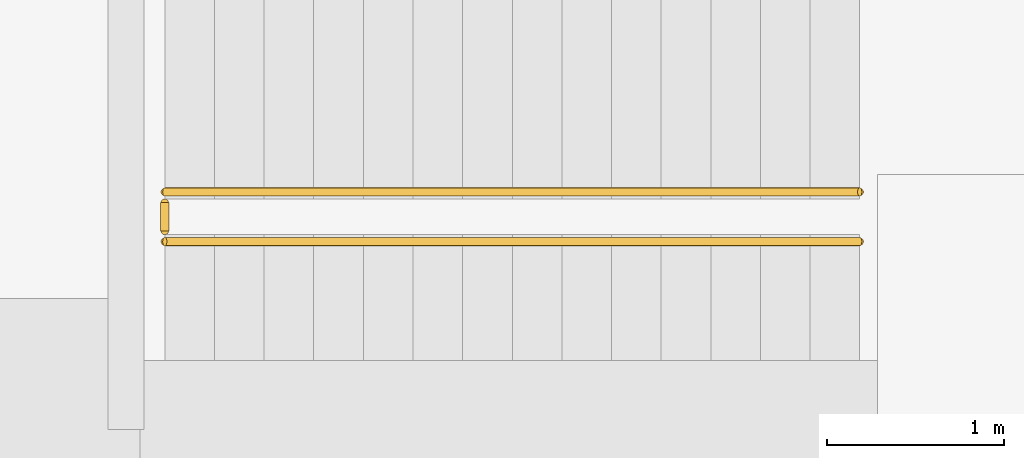
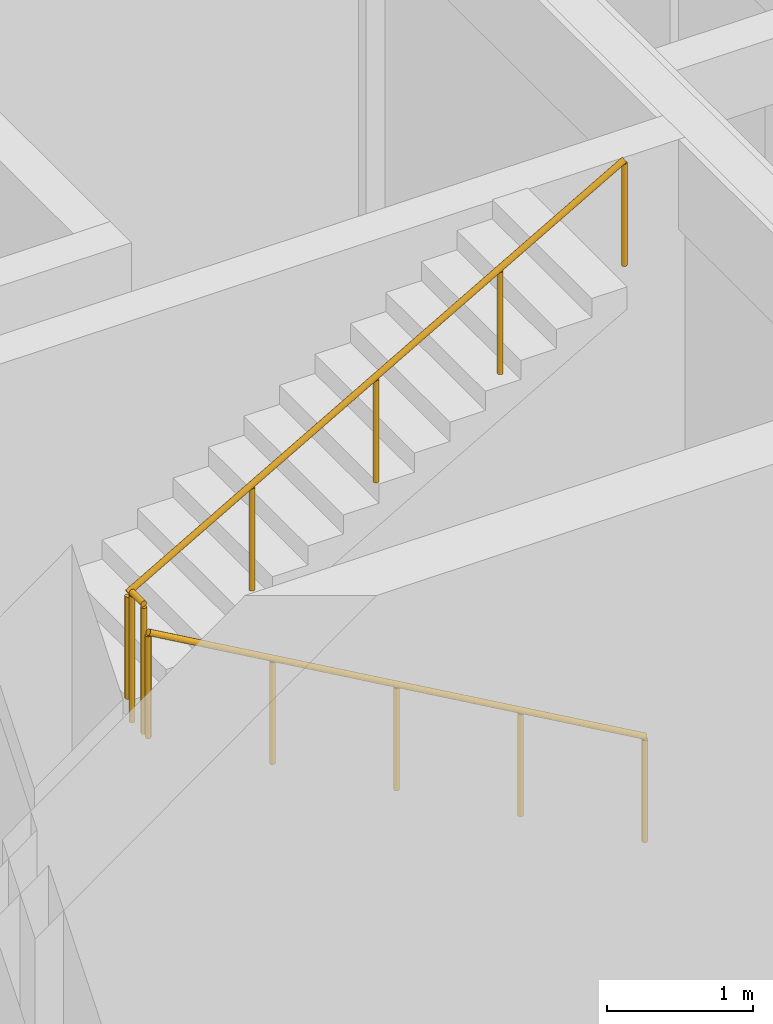
# One storey, part 31 of 35: 3 railings.
"""IFC4 building model written with IfcOpenShell, lengths in metres."""

import ifcopenshell
import ifcopenshell.guid

model = None  # the IFC model being written
_history = None  # IfcOwnerHistory: only IFC2X3 demands one
_inside = {}  # id of a spatial element -> (the spatial element, [elements in it])
_under = {}  # id of a project, library or spatial element -> (it, [spatial elements below it])
_declared = {}  # id of a project -> (the project, [libraries it declares])
_typed = {}  # id of a type object -> (the type object, [elements of that type])
_made_of = {}  # id of a material, layer set ... -> (it, [elements and type objects made of it])


def new_model(schema):
    """Start an empty IFC model of exactly this schema.

    Asked for "IFC4X3", IfcOpenShell would pick the latest addendum, in which some entities
    have other attributes; the version numbers below select the first issue.
    IFC2X3 requires an IfcOwnerHistory on every rooted entity: one is made here for all.
    """
    global model, _history
    if schema == "IFC4X3":
        model = ifcopenshell.file(schema_version=(4, 3, 0, 0))
    else:
        model = ifcopenshell.file(schema=schema)
    _inside.clear()
    _under.clear()
    _declared.clear()
    _typed.clear()
    _made_of.clear()
    _history = None
    if model.schema == "IFC2X3":
        org = make("IfcOrganization", Name="unknown")
        user = make(
            "IfcPersonAndOrganization",
            ThePerson=make("IfcPerson", FamilyName="unknown"),
            TheOrganization=org,
        )
        app = make(
            "IfcApplication",
            ApplicationDeveloper=org,
            Version="unknown",
            ApplicationFullName="unknown",
            ApplicationIdentifier="unknown",
        )
        _history = make(
            "IfcOwnerHistory",
            OwningUser=user,
            OwningApplication=app,
            ChangeAction="ADDED",
            CreationDate=0,
        )
    return model


def make(cls, **values):
    """One entity of the class cls with the attributes given. An attribute that is None is left unset."""
    return model.create_entity(
        cls, **{name: value for name, value in values.items() if value is not None}
    )


def rooted(cls, **values):
    """An entity with a GlobalId (a new one), such as an element, a storey or a relation."""
    return make(cls, GlobalId=ifcopenshell.guid.new(), OwnerHistory=_history, **values)


def si_unit(unit_type, name, prefix=None):
    """IfcSIUnit, for example si_unit("LENGTHUNIT", "METRE", prefix="MILLI")."""
    return make("IfcSIUnit", UnitType=unit_type, Prefix=prefix, Name=name)


def assignment(units):
    """IfcUnitAssignment: the units of a project."""
    return None if units is None else make("IfcUnitAssignment", Units=units)


def point(xyz):
    """IfcCartesianPoint."""
    return None if xyz is None else make("IfcCartesianPoint", Coordinates=xyz)


def direction(xyz):
    """IfcDirection."""
    return None if xyz is None else make("IfcDirection", DirectionRatios=xyz)


def frame(location, z_axis=None, x_axis=None):
    """IfcAxis2Placement3D, a coordinate frame: its origin and axes. An axis left out is left unset."""
    return make(
        "IfcAxis2Placement3D",
        Location=point(location),
        Axis=direction(z_axis),
        RefDirection=direction(x_axis),
    )


def frame_2d(location, x_axis=None):
    """IfcAxis2Placement2D, a coordinate frame in the plane: its origin and x axis."""
    return make(
        "IfcAxis2Placement2D", Location=point(location), RefDirection=direction(x_axis)
    )


def origin():
    """The frame at (0, 0, 0) with its axes left unset."""
    return frame((0.0, 0.0, 0.0))


def origin_2d():
    """The frame at (0, 0) in the plane with its x axis left unset."""
    return frame_2d((0.0, 0.0))


def place(relative_to, where):
    """IfcLocalPlacement: puts the frame where relative to a parent placement (None: the world)."""
    return make(
        "IfcLocalPlacement", PlacementRelTo=relative_to, RelativePlacement=where
    )


def context(
    kind, dimensions, precision=None, world=None, true_north=None, identifier=None
):
    """IfcGeometricRepresentationContext, for example the 3D "Model" context."""
    return make(
        "IfcGeometricRepresentationContext",
        ContextIdentifier=identifier,
        ContextType=kind,
        CoordinateSpaceDimension=dimensions,
        Precision=precision,
        WorldCoordinateSystem=world,
        TrueNorth=true_north,
    )


def subcontext(parent, identifier, kind, view, scale=None):
    """IfcGeometricRepresentationSubContext, for example "Body" below "Model"."""
    return make(
        "IfcGeometricRepresentationSubContext",
        ContextIdentifier=identifier,
        ContextType=kind,
        ParentContext=parent,
        TargetScale=scale,
        TargetView=view,
    )


def project(units=None, contexts=None):
    """IfcProject with its units and contexts."""
    return rooted(
        "IfcProject",
        Name="project",
        RepresentationContexts=contexts,
        UnitsInContext=assignment(units),
    )


def spatial(cls, under=None, at=None, **own):
    """A site, building, storey or space (cls), placed at a placement, below another one or the project."""
    s = rooted(cls, ObjectPlacement=at, **own)
    if under is not None:
        _under.setdefault(under.id(), (under, []))[1].append(s)
    return s


def profile(cls, at=None, kind="AREA", **sizes):
    """A parametric profile (cls). Its sizes go by their IFC names, for example OverallWidth=200.0."""
    return make(cls, ProfileType=kind, Position=at, **sizes)


def circle(**sizes):
    """IfcCircleProfileDef."""
    return profile("IfcCircleProfileDef", **sizes)


def extrude(swept, where, along, depth):
    """IfcExtrudedAreaSolid: the profile swept, set in the frame where, extruded along a direction by depth."""
    return make(
        "IfcExtrudedAreaSolid",
        SweptArea=swept,
        Position=where,
        ExtrudedDirection=direction(along),
        Depth=depth,
    )


def shape(context_of_items, identifier, shape_type, items):
    """IfcShapeRepresentation: the items that make up one representation, for example the "Body"."""
    return make(
        "IfcShapeRepresentation",
        ContextOfItems=context_of_items,
        RepresentationIdentifier=identifier,
        RepresentationType=shape_type,
        Items=items,
    )


def material(Name=None, Category=None):
    """IfcMaterial."""
    return make("IfcMaterial", Name=Name, Category=Category)


def made_of(thing, what):
    """Note that an element or type object is made of a material, layer set ...; save() writes the relation."""
    if what is not None:
        _made_of.setdefault(what.id(), (what, []))[1].append(thing)
    return thing


def type_object(cls, material=None, **own):
    """A type object (cls), such as IfcWallType, which elements share."""
    return made_of(rooted(cls, **own), material)


def element(
    cls,
    number,
    at=None,
    inside=None,
    cuts=None,
    type_object=None,
    material=None,
    context=None,
    identifier="Body",
    shape_type=None,
    held_by="IfcProductDefinitionShape",
    body=None,
    shapes=None,
    **own,
):
    """One element of the class cls, such as IfcWall. Its Tag is "e" and its number.

    at: its placement. inside: the storey or other place that contains it. cuts: it is an
    opening in that element (IfcRelVoidsElement). A single representation is given by context,
    identifier, shape_type and body (its items); several are given by shapes. held_by: the class
    of the entity that holds the representations. save() writes the other relations.
    """
    e = rooted(cls, Tag="e%d" % number, ObjectPlacement=at, **own)
    if body is not None:
        shapes = [shape(context, identifier, shape_type, body)]
    if shapes is not None:
        e.Representation = make(held_by, Representations=shapes)
    if inside is not None:
        _inside.setdefault(inside.id(), (inside, []))[1].append(e)
    if cuts is not None:
        rooted(
            "IfcRelVoidsElement", RelatingBuildingElement=cuts, RelatedOpeningElement=e
        )
    if type_object is not None:
        _typed.setdefault(type_object.id(), (type_object, []))[1].append(e)
    return made_of(e, material)


def aggregate(whole, parts):
    """IfcRelAggregates: a whole, such as a stair, and the parts it consists of."""
    return rooted("IfcRelAggregates", RelatingObject=whole, RelatedObjects=parts)


def save(model, path):
    """Write the relations noted so far, then the file.

    IfcRelAggregates (storeys below a building ...), IfcRelContainedInSpatialStructure (elements
    in a storey), IfcRelDefinesByType, IfcRelAssociatesMaterial and IfcRelDeclares: one each for
    every whole, place, type object, material and project.
    """
    for whole, parts in _under.values():
        aggregate(whole, parts)
    for where, things in _inside.values():
        rooted(
            "IfcRelContainedInSpatialStructure",
            RelatedElements=things,
            RelatingStructure=where,
        )
    for kind, things in _typed.values():
        rooted("IfcRelDefinesByType", RelatedObjects=things, RelatingType=kind)
    for what, things in _made_of.values():
        rooted("IfcRelAssociatesMaterial", RelatedObjects=things, RelatingMaterial=what)
    for by, libraries in _declared.values():
        rooted("IfcRelDeclares", RelatingContext=by, RelatedDefinitions=libraries)
    model.write(path)


model = new_model("IFC4")

# Units and contexts
model_context = context("Model", 3, precision=1e-05, world=origin(), true_north=direction((0.0, 1.0)))
body_context = subcontext(model_context, "Body", "Model", "MODEL_VIEW")
ifc_project = project(units=[si_unit("LENGTHUNIT", "METRE"), si_unit("AREAUNIT", "SQUARE_METRE"), si_unit("VOLUMEUNIT", "CUBIC_METRE"), si_unit("PLANEANGLEUNIT", "RADIAN"), si_unit("MASSUNIT", "GRAM", prefix="KILO")], contexts=[model_context])

# Site, building, storey
site_placement = place(None, origin())
site = spatial("IfcSite", under=ifc_project, at=site_placement, CompositionType="ELEMENT")
building_placement = place(site_placement, origin())
building = spatial("IfcBuilding", under=site, at=building_placement, Name="Cinchona Park Media Centre", CompositionType="ELEMENT")
storey_placement = place(building_placement, frame((0.0, 0.0, -4.800048828125)))
storey = spatial("IfcBuildingStorey", under=building, at=storey_placement, Name="B1", CompositionType="ELEMENT", Elevation=-4.800048828125)

# Railings
ifc_material_1 = material(Name="Painted Steel Stairwell Guardrail", Category="steel")
railing_type_1 = type_object("IfcRailingType", Name="RAILING-GR02", PredefinedType="GUARDRAIL", material=ifc_material_1)
railing_1_placement = place(storey_placement, frame((9.97998046875, 103.719970703125, 2.400146484375)))
element("IfcRailing", 1, at=railing_1_placement, inside=storey, type_object=railing_type_1, Name="Half-Landing Guardrail GR02 ST4 B1", PredefinedType="GUARDRAIL", context=body_context, shape_type="SweptSolid", body=[
    extrude(circle(Radius=0.02392578125, at=origin_2d()), frame((0.0, 0.0, 1.076171875), z_axis=(0.0, 1.0, 0.0), x_axis=(-1.0, 0.0, 0.0)), (0.0, 0.0, 1.0), 0.159912109375),
    extrude(circle(Radius=0.02099609375, at=origin_2d()), origin(), (0.0, 0.0, 1.0), 1.052001953125),
    extrude(circle(Radius=0.02099609375, at=origin_2d()), frame((0.0, 0.159912109375, 0.0)), (0.0, 0.0, 1.0), 1.052001953125),
])
ifc_material_2 = material(Name="Brushed Stainless Steel Handrail", Category="steel")
railing_type_2 = type_object("IfcRailingType", Name="RAILING-HR01", PredefinedType="HANDRAIL", material=ifc_material_2)
railing_2_placement = place(storey_placement, frame((13.89990234375, 103.659912109375, 0.16015625)))
element("IfcRailing", 2, at=railing_2_placement, inside=storey, type_object=railing_type_2, Name="Stair Handrail HR01 ST4 B1 F1", PredefinedType="HANDRAIL", context=body_context, shape_type="SweptSolid", body=[
    extrude(circle(Radius=0.02392578125, at=origin_2d()), frame((0.0, 0.0, 0.8759765625), z_axis=(-0.868239814368, 0.0, 0.496144761885), x_axis=(0.0, -1.0, 0.0)), (0.0, 0.0, 1.0), 4.514892578125),
    extrude(circle(Radius=0.02099609375, at=origin_2d()), origin(), (0.0, 0.0, 1.0), 0.851806640625),
    extrude(circle(Radius=0.02099609375, at=origin_2d()), frame((-0.97998046875, 0.0, 0.56005859375)), (0.0, 0.0, 1.0), 0.851806640625),
    extrude(circle(Radius=0.02099609375, at=origin_2d()), frame((-1.9599609375, 0.0, 1.1201171875)), (0.0, 0.0, 1.0), 0.851806640625),
    extrude(circle(Radius=0.02099609375, at=origin_2d()), frame((-2.93994140625, 0.0, 1.679931640625)), (0.0, 0.0, 1.0), 0.851806640625),
    extrude(circle(Radius=0.02099609375, at=origin_2d()), frame((-3.919921875, 0.0, 2.239990234375)), (0.0, 0.0, 1.0), 0.851806640625),
])
railing_3_placement = place(storey_placement, frame((9.97998046875, 103.93994140625, 2.56005859375)))
element("IfcRailing", 3, at=railing_3_placement, inside=storey, type_object=railing_type_2, Name="Stair Handrail HR01 ST4 B1 F2", PredefinedType="HANDRAIL", context=body_context, shape_type="SweptSolid", body=[
    extrude(circle(Radius=0.02392578125, at=origin_2d()), frame((0.0, 0.0, 0.8759765625), z_axis=(0.868239814368, 0.0, 0.496144761885), x_axis=(0.0, 1.0, 0.0)), (0.0, 0.0, 1.0), 4.514892578125),
    extrude(circle(Radius=0.02099609375, at=origin_2d()), origin(), (0.0, 0.0, 1.0), 0.851806640625),
    extrude(circle(Radius=0.02099609375, at=origin_2d()), frame((0.97998046875, 0.0, 0.56005859375)), (0.0, 0.0, 1.0), 0.851806640625),
    extrude(circle(Radius=0.02099609375, at=origin_2d()), frame((1.9599609375, 0.0, 1.1201171875)), (0.0, 0.0, 1.0), 0.851806640625),
    extrude(circle(Radius=0.02099609375, at=origin_2d()), frame((2.93994140625, 0.0, 1.679931640625)), (0.0, 0.0, 1.0), 0.851806640625),
    extrude(circle(Radius=0.02099609375, at=origin_2d()), frame((3.919921875, 0.0, 2.239990234375)), (0.0, 0.0, 1.0), 0.851806640625),
])

save(model, "model.ifc")
